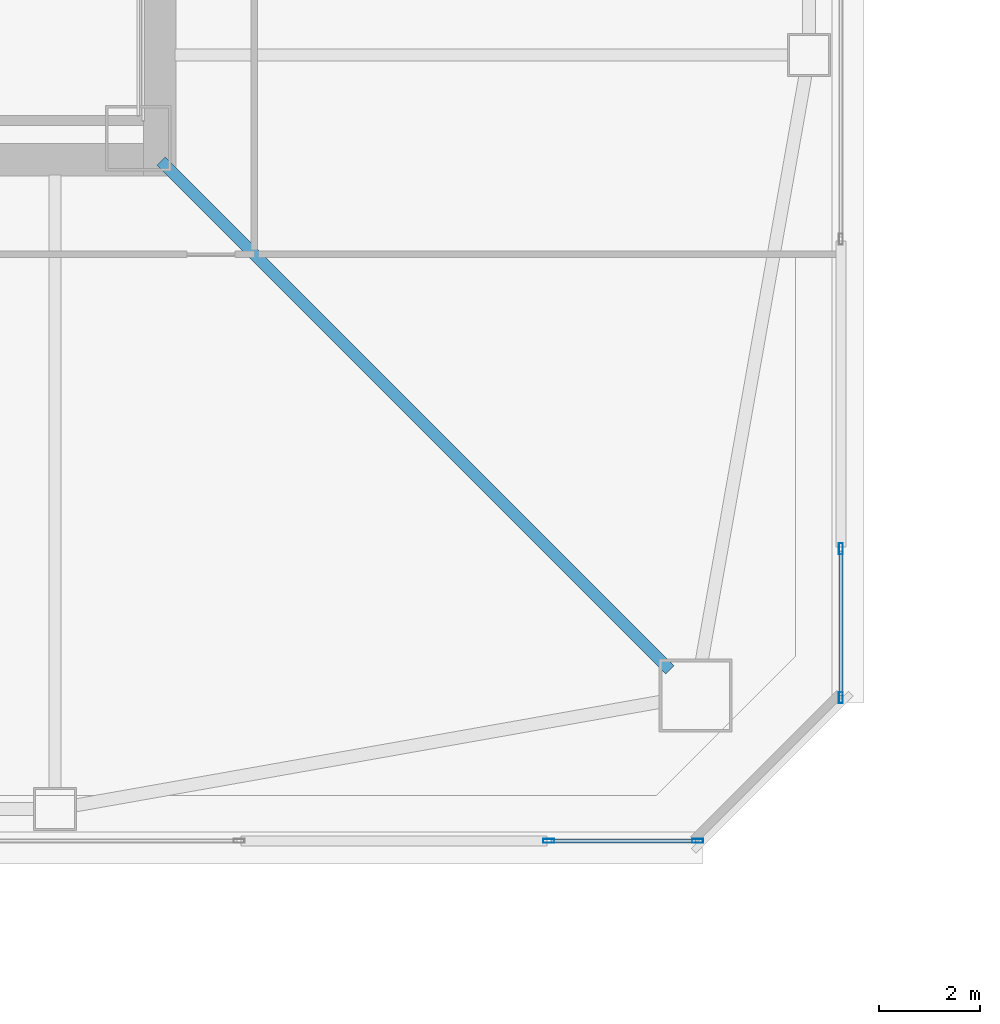
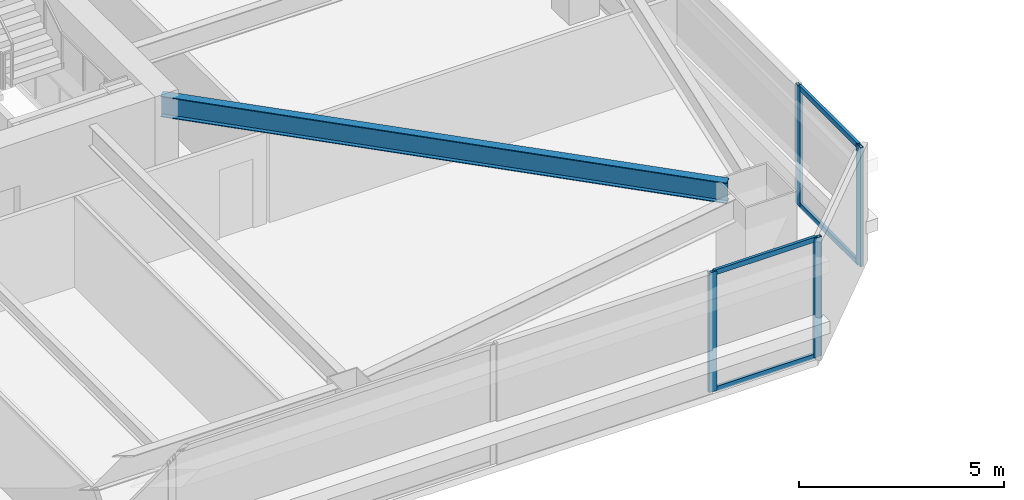
# One storey, part 8 of 47: 8 members, 1 beam, 2 elements without a shape of their own.
"""IFC4 building model written with IfcOpenShell, lengths in metres."""

from ifc_helpers import new_model, si_unit, direction, frame, origin, origin_2d, place, context, subcontext, project, spatial, hollow_rectangle, i_section, extrude, material, material_profile, profile_set, type_object, element, aggregate, save


model = new_model("IFC4")

# Units and contexts
model_context = context("Model", 3, precision=1e-05, world=origin(), true_north=direction((0.0, 1.0)))
body_context = subcontext(model_context, "Body", "Model", "MODEL_VIEW")
ifc_project = project(units=[si_unit("LENGTHUNIT", "METRE"), si_unit("AREAUNIT", "SQUARE_METRE"), si_unit("VOLUMEUNIT", "CUBIC_METRE"), si_unit("PLANEANGLEUNIT", "RADIAN"), si_unit("MASSUNIT", "GRAM", prefix="KILO")], contexts=[model_context])

# Site, building, storey
site_placement = place(None, origin())
site = spatial("IfcSite", under=ifc_project, at=site_placement, CompositionType="ELEMENT")
building_placement = place(site_placement, origin())
building = spatial("IfcBuilding", under=site, at=building_placement, Name="Tashvorn Skyway Center", CompositionType="ELEMENT")
storey_placement = place(building_placement, frame((0.0, 0.0, 81.39990234375)))
storey = spatial("IfcBuildingStorey", under=building, at=storey_placement, Name="L21", CompositionType="ELEMENT", Elevation=81.39990234375)

# Beam
ifc_material_1 = material(Name="Steel ASTM A992 Grade 50", Category="steel")
ifc_material_profile_1 = material_profile(ifc_material_1, i_section(OverallWidth=0.22998046875, OverallDepth=0.616943359375, WebThickness=0.01318359375, FlangeThickness=0.022216796875, at=origin_2d()), Name="W24X94")
ifc_profile_set_1 = profile_set([ifc_material_profile_1], Name="Steel ASTM A992 Grade 50")
beam_type = type_object("IfcBeamType", Name="BM-BEAM-W24X94", PredefinedType="BEAM", material=ifc_profile_set_1)
beam_placement = place(storey_placement, frame((59.5908203125, 14.4091796875, 3.04150390625), z_axis=(-0.707106781187, 0.707106781187, 0.0), x_axis=(-0.707106781187, -0.707106781187, 0.0)))
element("IfcBeam", 1, at=beam_placement, inside=storey, type_object=beam_type, Name="Tower 1 L21 Primary Floor Girder MC-SE", PredefinedType="BEAM", context=body_context, shape_type="SweptSolid", body=[
    extrude(i_section(OverallWidth=0.22998046875, OverallDepth=0.616943359375, WebThickness=0.01318359375, FlangeThickness=0.022216796875, at=origin_2d()), origin(), (0.0, 0.0, 1.0), 14.261962890625),
])

# Curtain wall, members
ifc_material_2 = material(Name="Thermally broken bronze-anodized aluminium 6063-T6", Category="aluminium")
curtain_wall_type = type_object("IfcCurtainWallType", Name="CW-CW-Z2", PredefinedType="NOTDEFINED", material=ifc_material_2)
curtain_wall_1_placement = place(storey_placement, origin())
curtain_wall_1 = element("IfcCurtainWall", 2, at=curtain_wall_1_placement, inside=storey, type_object=curtain_wall_type, Name="Tower 1 L21 South Unitised Curtain Wall Glazing Group 1", PredefinedType="NOTDEFINED")
ifc_material_profile_2 = material_profile(ifc_material_2, hollow_rectangle(XDim=0.080078125, YDim=0.219970703125, WallThickness=0.0048828125, at=origin_2d()), Name="ALU-MULL-80x220")
ifc_profile_set_2 = profile_set([ifc_material_profile_2], Name="Thermally broken bronze-anodized aluminium 6063-T6")
member_type_1 = type_object("IfcMemberType", Name="CWM-CW-Z2", PredefinedType="MULLION", material=ifc_profile_set_2)
member_1_placement = place(storey_placement, frame((60.139892578125, 11.02001953125, 0.0), z_axis=(0.0, 0.0, 1.0), x_axis=(0.0, -1.0, 0.0)))
member_1 = element("IfcMember", 3, at=member_1_placement, type_object=member_type_1, Name="CW-Z2 mullion 1", PredefinedType="MULLION", context=body_context, shape_type="SweptSolid", body=[
    extrude(hollow_rectangle(XDim=0.080078125, YDim=0.219970703125, WallThickness=0.0048828125, at=origin_2d()), origin(), (0.0, 0.0, 1.0), 3.550048828125),
])
member_2_placement = place(storey_placement, frame((57.18994140625, 11.02001953125, 0.0), z_axis=(0.0, 0.0, 1.0), x_axis=(0.0, -1.0, 0.0)))
member_2 = element("IfcMember", 4, at=member_2_placement, type_object=member_type_1, Name="CW-Z2 mullion 2", PredefinedType="MULLION", context=body_context, shape_type="SweptSolid", body=[
    extrude(hollow_rectangle(XDim=0.080078125, YDim=0.219970703125, WallThickness=0.0048828125, at=origin_2d()), origin(), (0.0, 0.0, 1.0), 3.550048828125),
])

curtain_wall_2_placement = place(storey_placement, origin())
curtain_wall_2 = element("IfcCurtainWall", 5, at=curtain_wall_2_placement, inside=storey, type_object=curtain_wall_type, Name="Tower 1 L21 East Unitised Curtain Wall Glazing Group 3", PredefinedType="NOTDEFINED")
member_3_placement = place(storey_placement, frame((62.97998046875, 16.81005859375, 0.0), z_axis=(0.0, 0.0, 1.0), x_axis=(1.0, 0.0, 0.0)))
member_3 = element("IfcMember", 6, at=member_3_placement, type_object=member_type_1, Name="CW-Z2 mullion 1", PredefinedType="MULLION", context=body_context, shape_type="SweptSolid", body=[
    extrude(hollow_rectangle(XDim=0.080078125, YDim=0.219970703125, WallThickness=0.0048828125, at=origin_2d()), origin(), (0.0, 0.0, 1.0), 3.550048828125),
])
member_4_placement = place(storey_placement, frame((62.97998046875, 13.860107421875, 0.0), z_axis=(0.0, 0.0, 1.0), x_axis=(1.0, 0.0, 0.0)))
member_4 = element("IfcMember", 7, at=member_4_placement, type_object=member_type_1, Name="CW-Z2 mullion 2", PredefinedType="MULLION", context=body_context, shape_type="SweptSolid", body=[
    extrude(hollow_rectangle(XDim=0.080078125, YDim=0.219970703125, WallThickness=0.0048828125, at=origin_2d()), origin(), (0.0, 0.0, 1.0), 3.550048828125),
])

# Member
ifc_material_profile_3 = material_profile(ifc_material_2, hollow_rectangle(XDim=0.080078125, YDim=0.14990234375, WallThickness=0.00439453125, at=origin_2d()), Name="ALU-TRAN-80x150")
ifc_profile_set_3 = profile_set([ifc_material_profile_3], Name="Thermally broken bronze-anodized aluminium 6063-T6")
member_type_2 = type_object("IfcMemberType", Name="CWT-CW-Z2", PredefinedType="USERDEFINED", material=ifc_profile_set_3)
member_5_placement = place(storey_placement, frame((60.10009765625, 11.02001953125, 0.0400390625), z_axis=(-1.0, 0.0, 0.0), x_axis=(0.0, -1.0, 0.0)))
member_5 = element("IfcMember", 8, at=member_5_placement, type_object=member_type_2, Name="CW-Z2 transom 1.1", ObjectType="TRANSOM", PredefinedType="USERDEFINED", context=body_context, shape_type="SweptSolid", body=[
    extrude(hollow_rectangle(XDim=0.080078125, YDim=0.14990234375, WallThickness=0.00439453125, at=origin_2d()), origin(), (0.0, 0.0, 1.0), 2.8701171875),
])

member_6_placement = place(storey_placement, frame((60.10009765625, 11.02001953125, 3.510009765625), z_axis=(-1.0, 0.0, 0.0), x_axis=(0.0, -1.0, 0.0)))
member_6 = element("IfcMember", 9, at=member_6_placement, type_object=member_type_2, Name="CW-Z2 transom 1.2", ObjectType="TRANSOM", PredefinedType="USERDEFINED", context=body_context, shape_type="SweptSolid", body=[
    extrude(hollow_rectangle(XDim=0.080078125, YDim=0.14990234375, WallThickness=0.00439453125, at=origin_2d()), origin(), (0.0, 0.0, 1.0), 2.8701171875),
])

aggregate(curtain_wall_1, [member_1, member_2, member_5, member_6])

member_7_placement = place(storey_placement, frame((62.97998046875, 16.77001953125, 0.0400390625), z_axis=(0.0, -1.0, 0.0), x_axis=(1.0, 0.0, 0.0)))
member_7 = element("IfcMember", 10, at=member_7_placement, type_object=member_type_2, Name="CW-Z2 transom 1.1", ObjectType="TRANSOM", PredefinedType="USERDEFINED", context=body_context, shape_type="SweptSolid", body=[
    extrude(hollow_rectangle(XDim=0.080078125, YDim=0.14990234375, WallThickness=0.00439453125, at=origin_2d()), origin(), (0.0, 0.0, 1.0), 2.8701171875),
])

member_8_placement = place(storey_placement, frame((62.97998046875, 16.77001953125, 3.510009765625), z_axis=(0.0, -1.0, 0.0), x_axis=(1.0, 0.0, 0.0)))
member_8 = element("IfcMember", 11, at=member_8_placement, type_object=member_type_2, Name="CW-Z2 transom 1.2", ObjectType="TRANSOM", PredefinedType="USERDEFINED", context=body_context, shape_type="SweptSolid", body=[
    extrude(hollow_rectangle(XDim=0.080078125, YDim=0.14990234375, WallThickness=0.00439453125, at=origin_2d()), origin(), (0.0, 0.0, 1.0), 2.8701171875),
])

aggregate(curtain_wall_2, [member_3, member_4, member_7, member_8])

save(model, "model.ifc")
